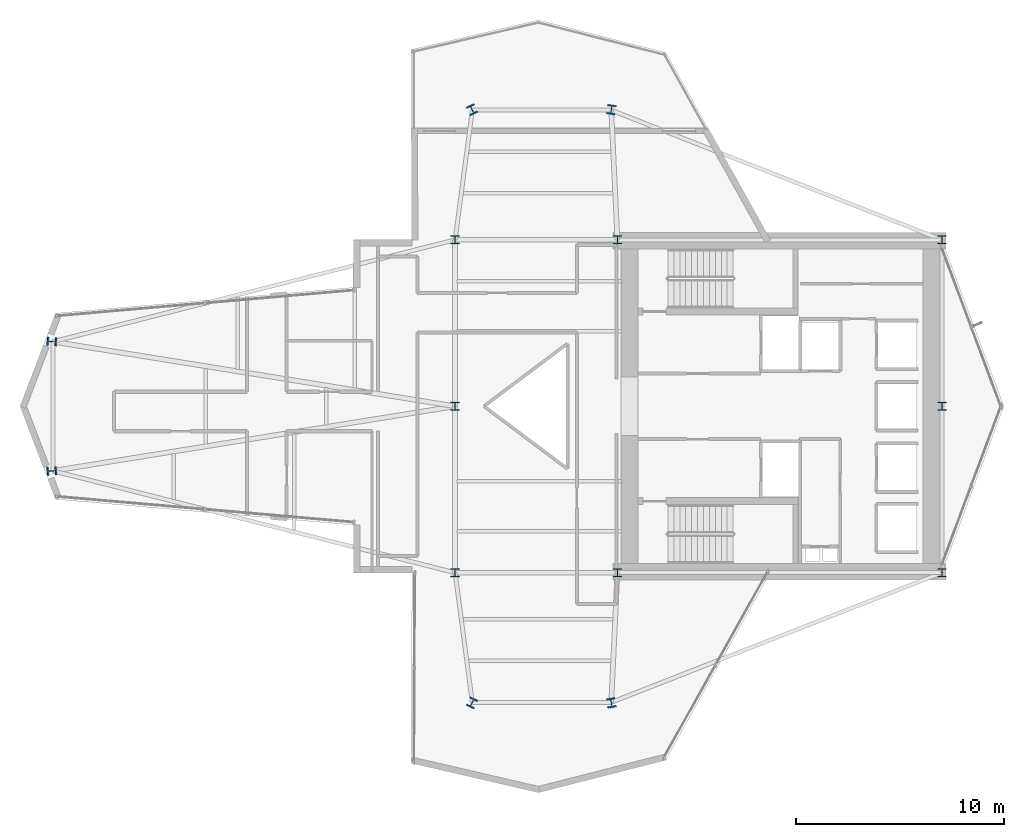
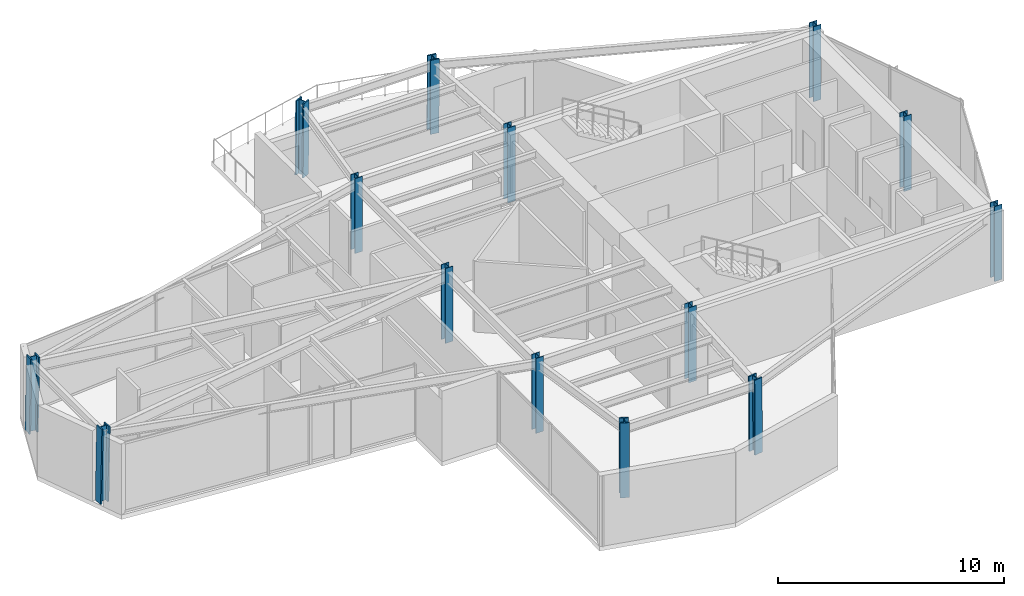
# One storey, part 1 of 23: 14 columns.
"""IFC4 building model written with IfcOpenShell, lengths in metres."""

from ifc_helpers import new_model, si_unit, direction, frame, origin, origin_2d, place, context, subcontext, project, spatial, i_section, extrude, material, material_profile, profile_set, type_object, element, save


model = new_model("IFC4")

# Units and contexts
model_context = context("Model", 3, precision=1e-05, world=origin(), true_north=direction((0.0, 1.0)))
body_context = subcontext(model_context, "Body", "Model", "MODEL_VIEW")
ifc_project = project(units=[si_unit("LENGTHUNIT", "METRE"), si_unit("AREAUNIT", "SQUARE_METRE"), si_unit("VOLUMEUNIT", "CUBIC_METRE"), si_unit("PLANEANGLEUNIT", "RADIAN"), si_unit("MASSUNIT", "GRAM", prefix="KILO")], contexts=[model_context])

# Site, building, storey
site_placement = place(None, origin())
site = spatial("IfcSite", under=ifc_project, at=site_placement, CompositionType="ELEMENT")
building_placement = place(site_placement, origin())
building = spatial("IfcBuilding", under=site, at=building_placement, Name="Veymaron Broadcast Tower", CompositionType="ELEMENT")
storey_placement = place(building_placement, frame((0.0, 0.0, 161.39990234375)))
storey = spatial("IfcBuildingStorey", under=building, at=storey_placement, Name="L37", CompositionType="ELEMENT", Elevation=161.39990234375)

# Columns
ifc_material_1 = material(Name="Structural steel ASTM A992 Gr 50", Category="steel")
ifc_material_profile_1 = material_profile(ifc_material_1, i_section(OverallWidth=0.39794921875, OverallDepth=0.386962890625, WebThickness=0.02099609375, FlangeThickness=0.033203125, at=origin_2d()), Name="W360X262")
ifc_profile_set_1 = profile_set([ifc_material_profile_1], Name="Structural steel ASTM A992 Gr 50")
column_type_1 = type_object("IfcColumnType", Name="COL-HC2", PredefinedType="COLUMN", material=ifc_profile_set_1)
for number, where, z_axis, x_axis, name in (
    (1, (31.199951171875, 16.0, 0.0), (0.0, 0.0, 1.0), (1.0, 0.0, 0.0), "L37 structural hub and core column"),
    (2, (31.199951171875, 24.0, 0.0), (0.0, 0.0, 1.0), (1.0, 0.0, 0.0), "L37 structural hub and core column"),
    (3, (31.199951171875, 32.0, 0.0), (0.0, 0.0, 1.0), (1.0, 0.0, 0.0), "L37 structural hub and core column"),
    (4, (39.0, 16.0, 0.0), (0.0, 0.0, 1.0), (1.0, 0.0, 0.0), "L37 structural hub and core column"),
    (5, (39.0, 32.0, 0.0), (0.0, 0.0, 1.0), (1.0, 0.0, 0.0), "L37 structural hub and core column"),
    (6, (54.60009765625, 16.0, 0.0), (0.0, 0.0, 1.0), (1.0, 0.0, 0.0), "L37 structural hub and core column"),
    (7, (54.60009765625, 24.0, 0.0), (0.0, 0.0, 1.0), (1.0, 0.0, 0.0), "L37 structural hub and core column"),
    (8, (54.60009765625, 32.0, 0.0), (0.0, 0.0, 1.0), (1.0, 0.0, 0.0), "L37 structural hub and core column"),
):
    element("IfcColumn", number, at=place(storey_placement, frame(where, z_axis=z_axis, x_axis=x_axis)), inside=storey, type_object=column_type_1, Name=name, PredefinedType="COLUMN", context=body_context, shape_type="SweptSolid", body=[
        extrude(i_section(OverallWidth=0.39794921875, OverallDepth=0.386962890625, WebThickness=0.02099609375, FlangeThickness=0.033203125, at=origin_2d()), origin(), (0.0, 0.0, 1.0), 4.044189453125),
    ])
ifc_material_2 = material(Name="Structural steel ASTM A913 Gr 65", Category="steel")
ifc_material_profile_2 = material_profile(ifc_material_2, i_section(OverallWidth=0.41796875, OverallDepth=0.455078125, WebThickness=0.0419921875, FlangeThickness=0.067626953125, at=origin_2d()), Name="W360X551")
ifc_profile_set_2 = profile_set([ifc_material_profile_2], Name="Structural steel ASTM A913 Gr 65")
column_type_2 = type_object("IfcColumnType", Name="COL-MC2", PredefinedType="COLUMN", material=ifc_profile_set_2)
for number, where, z_axis, x_axis, name in (
    (9, (11.802001953125, 20.889892578125, 0.01611328125), (0.017192729407, 0.001275785574, 0.999851380169), (-0.074001486757, 0.997258131056, 0.0), "L37 Tapered Wing Mega Column"),
    (10, (11.802001953125, 27.110107421875, 0.01611328125), (0.017192729407, -0.001275785574, 0.999851380169), (0.074001486757, 0.997258131056, 0.0), "L37 Tapered Wing Mega Column"),
):
    element("IfcColumn", number, at=place(storey_placement, frame(where, z_axis=z_axis, x_axis=x_axis)), inside=storey, type_object=column_type_2, Name=name, PredefinedType="COLUMN", context=body_context, shape_type="SweptSolid", body=[
        extrude(i_section(OverallWidth=0.41796875, OverallDepth=0.455078125, WebThickness=0.0419921875, FlangeThickness=0.067626953125, at=origin_2d()), origin(), (0.0, 0.0, 1.0), 4.0185546875),
    ])
column_1_placement = place(storey_placement, frame((32.011962890625, 38.260009765625, 0.01611328125), z_axis=(0.003463243796, -0.00747331556, 0.999966077173), x_axis=(0.907310606534, 0.420461012784, 0.0)))
element("IfcColumn", 11, at=column_1_placement, inside=storey, type_object=column_type_2, Name="L37 Tapered Wing Mega Column", PredefinedType="COLUMN", context=body_context, shape_type="SweptSolid", body=[
    extrude(i_section(OverallWidth=0.41796875, OverallDepth=0.455078125, WebThickness=0.0419921875, FlangeThickness=0.067626953125, at=origin_2d()), origin(), (0.0, 0.0, 1.0), 4.018310546875),
])
column_2_placement = place(storey_placement, frame((38.7099609375, 38.260009765625, 0.01611328125), z_axis=(-0.001215179652, -0.007473354861, 0.999971335742), x_axis=(0.987036848987, -0.160493796583, 0.0)))
element("IfcColumn", 12, at=column_2_placement, inside=storey, type_object=column_type_2, Name="L37 Tapered Wing Mega Column", PredefinedType="COLUMN", context=body_context, shape_type="SweptSolid", body=[
    extrude(i_section(OverallWidth=0.41796875, OverallDepth=0.455078125, WebThickness=0.0419921875, FlangeThickness=0.067626953125, at=origin_2d()), origin(), (0.0, 0.0, 1.0), 4.01806640625),
])
column_3_placement = place(storey_placement, frame((32.011962890625, 9.739990234375, 0.01611328125), z_axis=(0.003463243796, 0.00747331556, 0.999966077173), x_axis=(-0.907310606534, 0.420461012784, 0.0)))
element("IfcColumn", 13, at=column_3_placement, inside=storey, type_object=column_type_2, Name="L37 Tapered Wing Mega Column", PredefinedType="COLUMN", context=body_context, shape_type="SweptSolid", body=[
    extrude(i_section(OverallWidth=0.41796875, OverallDepth=0.455078125, WebThickness=0.0419921875, FlangeThickness=0.067626953125, at=origin_2d()), origin(), (0.0, 0.0, 1.0), 4.018310546875),
])
column_4_placement = place(storey_placement, frame((38.7099609375, 9.739990234375, 0.01611328125), z_axis=(-0.001215179652, 0.007473354861, 0.999971335742), x_axis=(-0.987036848987, -0.160493796583, 0.0)))
element("IfcColumn", 14, at=column_4_placement, inside=storey, type_object=column_type_2, Name="L37 Tapered Wing Mega Column", PredefinedType="COLUMN", context=body_context, shape_type="SweptSolid", body=[
    extrude(i_section(OverallWidth=0.41796875, OverallDepth=0.455078125, WebThickness=0.0419921875, FlangeThickness=0.067626953125, at=origin_2d()), origin(), (0.0, 0.0, 1.0), 4.01806640625),
])

save(model, "model.ifc")
